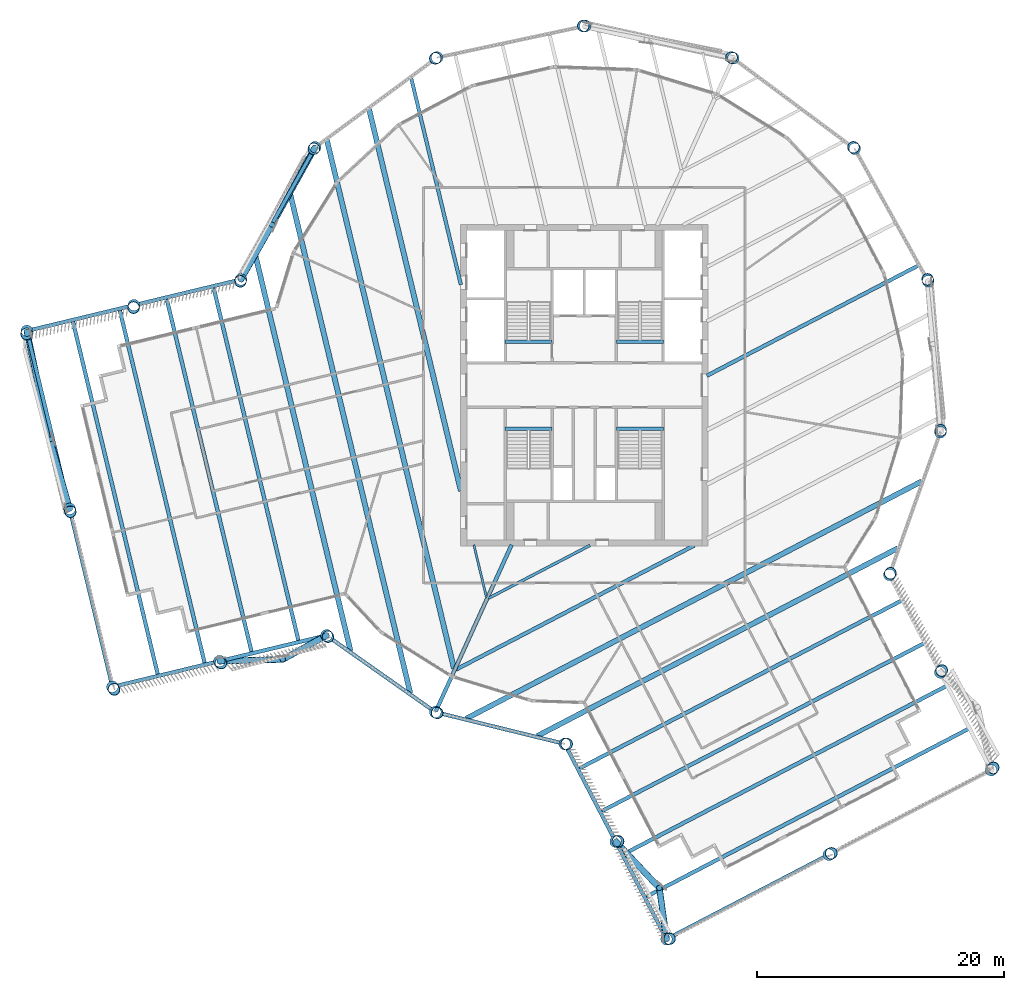
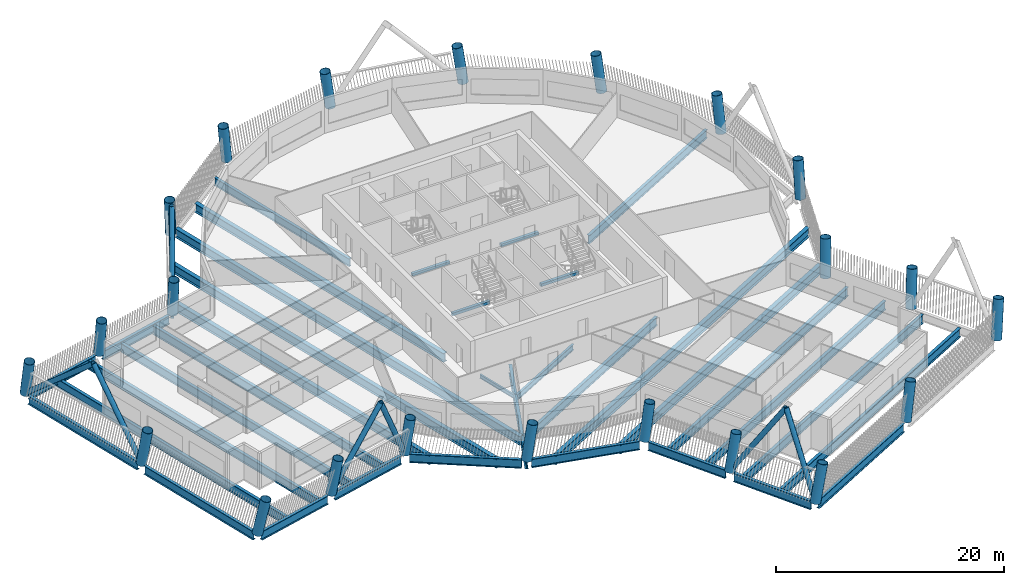
# One storey, part 1 of 22: 36 beams, 22 columns, 8 members.
"""IFC4 building model written with IfcOpenShell, lengths in metres."""

from ifc_helpers import new_model, si_unit, direction, frame, origin, origin_2d, place, context, subcontext, project, spatial, rectangle, hollow_circle, i_section, extrude, material, material_profile, profile_set, type_object, element, save


model = new_model("IFC4")

# Units and contexts
model_context = context("Model", 3, precision=1e-05, world=origin(), true_north=direction((0.0, 1.0)))
body_context = subcontext(model_context, "Body", "Model", "MODEL_VIEW")
ifc_project = project(units=[si_unit("LENGTHUNIT", "METRE"), si_unit("AREAUNIT", "SQUARE_METRE"), si_unit("VOLUMEUNIT", "CUBIC_METRE"), si_unit("PLANEANGLEUNIT", "RADIAN"), si_unit("MASSUNIT", "GRAM", prefix="KILO")], contexts=[model_context])

# Site, building, storey
site_placement = place(None, origin())
site = spatial("IfcSite", under=ifc_project, at=site_placement, CompositionType="ELEMENT")
building_placement = place(site_placement, origin())
building = spatial("IfcBuilding", under=site, at=building_placement, Name="Tarsis Ring Headquarters", CompositionType="ELEMENT")
storey_placement = place(building_placement, frame((0.0, 0.0, 339.199951171875)))
storey = spatial("IfcBuildingStorey", under=building, at=storey_placement, Name="L80", CompositionType="ELEMENT", Elevation=339.199951171875)

# Columns
ifc_material_1 = material(Name="Structural steel S355", Category="steel")
ifc_material_profile_1 = material_profile(ifc_material_1, hollow_circle(Radius=0.482666015625, WallThickness=0.0400390625, at=origin_2d()), Name="CHS 965x40")
ifc_profile_set_1 = profile_set([ifc_material_profile_1], Name="Structural steel S355")
column_type = type_object("IfcColumnType", Name="XC Exo column CHS 965x40", PredefinedType="COLUMN", material=ifc_profile_set_1)
for number, where, z_axis, x_axis, name in (
    (1, (-12.036865234375, -26.437255859375, 0.001220703125), (0.122406782257, -0.054437499006, 0.990985942564), (0.4063534086, 0.913715988324, 0.0), "Exo column XC7 F1"),
    (2, (-1.575927734375, -29.005859375, 0.001220703125), (0.133889108003, -0.006020975186, 0.990978029331), (0.044924463377, 0.998990386636, 0.0), "Exo column XC7 AK"),
):
    element("IfcColumn", number, at=place(storey_placement, frame(where, z_axis=z_axis, x_axis=x_axis)), inside=storey, type_object=column_type, Name=name, PredefinedType="COLUMN", context=body_context, shape_type="SweptSolid", body=[
        extrude(hollow_circle(Radius=0.482666015625, WallThickness=0.0400390625, at=origin_2d()), origin(), (0.0, 0.0, 1.0), 3.93310546875),
    ])
column_1_placement = place(storey_placement, frame((2.53759765625, -36.900634765625, 0.00146484375), z_axis=(0.169158254619, 0.013149893516, 0.985501174629), x_axis=(-0.077503399523, 0.996992087763, 0.0)))
element("IfcColumn", 3, at=column_1_placement, inside=storey, type_object=column_type, Name="Exo column XC7 AI1", PredefinedType="COLUMN", context=body_context, shape_type="SweptSolid", body=[
    extrude(hollow_circle(Radius=0.482666015625, WallThickness=0.0400390625, at=origin_2d()), origin(), (0.0, 0.0, 1.0), 3.95458984375),
])
column_2_placement = place(storey_placement, frame((6.651123046875, -44.795654296875, 0.001708984375), z_axis=(0.203718834417, 0.032185491444, 0.978500245602), x_axis=(-0.156054156709, 0.987748500466, 0.0)))
element("IfcColumn", 4, at=column_2_placement, inside=storey, type_object=column_type, Name="Exo column XC7 AT1", PredefinedType="COLUMN", context=body_context, shape_type="SweptSolid", body=[
    extrude(hollow_circle(Radius=0.482666015625, WallThickness=0.0400390625, at=origin_2d()), origin(), (0.0, 0.0, 1.0), 3.982421875),
])
column_3_placement = place(storey_placement, frame((19.7763671875, -37.95703125, 0.00146484375), z_axis=(0.172395271988, 0.091849939994, 0.980736182018), x_axis=(-0.470212723385, 0.882553111584, 0.0)))
element("IfcColumn", 5, at=column_3_placement, inside=storey, type_object=column_type, Name="Exo column XC7 AT2", PredefinedType="COLUMN", context=body_context, shape_type="SweptSolid", body=[
    extrude(hollow_circle(Radius=0.482666015625, WallThickness=0.0400390625, at=origin_2d()), origin(), (0.0, 0.0, 1.0), 3.973876953125),
])
column_4_placement = place(storey_placement, frame((32.901611328125, -31.118408203125, 0.001708984375), z_axis=(0.140389422881, 0.151117872228, 0.978495885856), x_axis=(-0.732634685641, 0.680622081184, 0.0)))
element("IfcColumn", 6, at=column_4_placement, inside=storey, type_object=column_type, Name="Exo column XC7 AT3", PredefinedType="COLUMN", context=body_context, shape_type="SweptSolid", body=[
    extrude(hollow_circle(Radius=0.482666015625, WallThickness=0.0400390625, at=origin_2d()), origin(), (0.0, 0.0, 1.0), 3.982421875),
])
column_5_placement = place(storey_placement, frame((28.788330078125, -23.2236328125, 0.00146484375), z_axis=(0.105322321843, 0.133041971613, 0.985498372556), x_axis=(-0.784053201958, 0.620693625309, 0.0)))
element("IfcColumn", 7, at=column_5_placement, inside=storey, type_object=column_type, Name="Exo column XC7 AO1", PredefinedType="COLUMN", context=body_context, shape_type="SweptSolid", body=[
    extrude(hollow_circle(Radius=0.482666015625, WallThickness=0.0400390625, at=origin_2d()), origin(), (0.0, 0.0, 1.0), 3.95458984375),
])
for number, where, z_axis, x_axis, name in (
    (8, (24.6748046875, -15.32861328125, 0.001220703125), (0.06964555751, 0.114399966569, 0.990990486316), (-0.85416275505, 0.520005757551, 0.0), "Exo column XC7 AJ"),
    (9, (28.799560546875, -3.795166015625, 0.001220703125), (0.016263004677, 0.132959374113, 0.990988052155), (-0.99260235287, 0.121410745309, 0.0), "Exo column XC7 R1"),
    (10, (27.803466796875, 8.4130859375, 0.001220703125), (-0.039974596113, 0.127869049678, 0.990985135005), (-0.95444699542, -0.298380517015, 0.0), "Exo column XC7 R2"),
    (11, (21.864013671875, 19.12548828125, 0.001220703125), (-0.089135505011, 0.100060190862, 0.990980736418), (-0.746693306718, -0.665168479186, 0.0), "Exo column XC7 R3"),
    (12, (12.036865234375, 26.437255859375, 0.001220703125), (-0.122406782257, 0.054437499006, 0.990985942564), (-0.4063534086, -0.913715988324, 0.0), "Exo column XC7 R4"),
    (13, (0.069580078125, 29.04833984375, 0.001220703125), (-0.133952443867, -0.000869014928, 0.990987380139), (0.006487351898, -0.999978956911, 0.0), "Exo column XC7 R5"),
    (14, (-11.91015625, 26.49462890625, 0.001220703125), (-0.12166212528, -0.056051479147, 0.990987668419), (0.418440981099, -0.908243989981, 0.0), "Exo column XC7 R6"),
    (15, (-21.77197265625, 19.22998046875, 0.001220703125), (-0.087831695926, -0.101239219827, 0.990977403153), (0.755352808016, -0.655318346624, 0.0), "Exo column XC7 R7"),
    (16, (-27.762939453125, 8.546142578125, 0.001220703125), (-0.038236431637, -0.128427235482, 0.990981543966), (0.958423427029, -0.285349845843, 0.0), "Exo column XC7 BJ"),
):
    element("IfcColumn", number, at=place(storey_placement, frame(where, z_axis=z_axis, x_axis=x_axis)), inside=storey, type_object=column_type, Name=name, PredefinedType="COLUMN", context=body_context, shape_type="SweptSolid", body=[
        extrude(hollow_circle(Radius=0.482666015625, WallThickness=0.0400390625, at=origin_2d()), origin(), (0.0, 0.0, 1.0), 3.93310546875),
    ])
column_6_placement = place(storey_placement, frame((-36.41845703125, 6.46484375, 0.00146484375), z_axis=(-0.028151934765, -0.167306454415, 0.985502926875), x_axis=(0.986137025442, -0.165933019779, 0.0)))
element("IfcColumn", 17, at=column_6_placement, inside=storey, type_object=column_type, Name="Exo column XC7 BO1", PredefinedType="COLUMN", context=body_context, shape_type="SweptSolid", body=[
    extrude(hollow_circle(Radius=0.482666015625, WallThickness=0.0400390625, at=origin_2d()), origin(), (0.0, 0.0, 1.0), 3.95458984375),
])
column_7_placement = place(storey_placement, frame((-45.073974609375, 4.383544921875, 0.001708984375), z_axis=(-0.018085239634, -0.205436061064, 0.978503423051), x_axis=(0.996147436513, -0.087694268508, 0.0)))
element("IfcColumn", 18, at=column_7_placement, inside=storey, type_object=column_type, Name="Exo column XC7 BT3", PredefinedType="COLUMN", context=body_context, shape_type="SweptSolid", body=[
    extrude(hollow_circle(Radius=0.482666015625, WallThickness=0.0400390625, at=origin_2d()), origin(), (0.0, 0.0, 1.0), 3.982421875),
])
column_8_placement = place(storey_placement, frame((-41.61376953125, -10.00634765625, 0.00146484375), z_axis=(0.047369047904, -0.189476191617, 0.980742038515), x_axis=(0.970142500145, 0.242535625036, 0.0)))
element("IfcColumn", 19, at=column_8_placement, inside=storey, type_object=column_type, Name="Exo column XC7 BT2", PredefinedType="COLUMN", context=body_context, shape_type="SweptSolid", body=[
    extrude(hollow_circle(Radius=0.482666015625, WallThickness=0.0400390625, at=origin_2d()), origin(), (0.0, 0.0, 1.0), 3.9736328125),
])
column_9_placement = place(storey_placement, frame((-38.15380859375, -24.396240234375, 0.001708984375), z_axis=(0.1126807667, -0.172699521107, 0.978508007236), x_axis=(0.837498203896, 0.546440077658, 0.0)))
element("IfcColumn", 20, at=column_9_placement, inside=storey, type_object=column_type, Name="Exo column XC7 BT1", PredefinedType="COLUMN", context=body_context, shape_type="SweptSolid", body=[
    extrude(hollow_circle(Radius=0.482666015625, WallThickness=0.0400390625, at=origin_2d()), origin(), (0.0, 0.0, 1.0), 3.982421875),
])
column_10_placement = place(storey_placement, frame((-29.498291015625, -22.31494140625, 0.00146484375), z_axis=(0.103594452651, -0.134339409398, 0.985505511127), x_axis=(0.791892871689, 0.610660036164, 0.0)))
element("IfcColumn", 21, at=column_10_placement, inside=storey, type_object=column_type, Name="Exo column XC7 BI1", PredefinedType="COLUMN", context=body_context, shape_type="SweptSolid", body=[
    extrude(hollow_circle(Radius=0.482666015625, WallThickness=0.0400390625, at=origin_2d()), origin(), (0.0, 0.0, 1.0), 3.95458984375),
])
column_11_placement = place(storey_placement, frame((-20.8427734375, -20.233642578125, 0.001220703125), z_axis=(0.094225431983, -0.095280657505, 0.990980910146), x_axis=(0.711033136244, 0.703158502162, 0.0)))
element("IfcColumn", 22, at=column_11_placement, inside=storey, type_object=column_type, Name="Exo column XC7 BK", PredefinedType="COLUMN", context=body_context, shape_type="SweptSolid", body=[
    extrude(hollow_circle(Radius=0.482666015625, WallThickness=0.0400390625, at=origin_2d()), origin(), (0.0, 0.0, 1.0), 3.93310546875),
])

# Beams
ifc_material_profile_2 = material_profile(ifc_material_1, i_section(OverallWidth=0.177734375, OverallDepth=0.406494140625, WebThickness=0.0078125, FlangeThickness=0.0126953125, at=origin_2d()), Name="W16x40")
ifc_profile_set_2 = profile_set([ifc_material_profile_2], Name="Structural steel S355")
beam_type_1 = type_object("IfcBeamType", Name="FB Floor beam W16x40", PredefinedType="JOIST", material=ifc_profile_set_2)
beam_1_placement = place(storey_placement, frame((-8.930908203125, -12.90283203125, -0.363037109375), z_axis=(0.233776850383, -0.972290277759, 0.0), x_axis=(0.972290277759, 0.233776850383, 0.0)))
element("IfcBeam", 23, at=beam_1_placement, inside=storey, type_object=beam_type_1, Name="Floor beam FB1", PredefinedType="JOIST", context=body_context, shape_type="SweptSolid", body=[
    extrude(i_section(OverallWidth=0.177734375, OverallDepth=0.406494140625, WebThickness=0.0078125, FlangeThickness=0.0126953125, at=origin_2d()), origin(), (0.0, 0.0, 1.0), 4.366455078125),
])
ifc_material_profile_3 = material_profile(ifc_material_1, i_section(OverallWidth=0.228271484375, OverallDepth=0.607177734375, WebThickness=0.01123046875, FlangeThickness=0.017333984375, at=origin_2d()), Name="W24x76")
ifc_profile_set_3 = profile_set([ifc_material_profile_3], Name="Structural steel S355")
beam_type_2 = type_object("IfcBeamType", Name="FB Floor beam W24x76", PredefinedType="JOIST", material=ifc_profile_set_3)
beam_2_placement = place(storey_placement, frame((-7.740234375, -17.2255859375, -0.463623046875), z_axis=(0.886850738756, 0.462056021678, 0.0), x_axis=(-0.462056021678, 0.886850738756, 0.0)))
element("IfcBeam", 24, at=beam_2_placement, inside=storey, type_object=beam_type_2, Name="Floor beam FB4", PredefinedType="JOIST", context=body_context, shape_type="SweptSolid", body=[
    extrude(i_section(OverallWidth=0.228271484375, OverallDepth=0.607177734375, WebThickness=0.01123046875, FlangeThickness=0.017333984375, at=origin_2d()), origin(), (0.0, 0.0, 1.0), 9.2451171875),
])
ifc_material_profile_4 = material_profile(ifc_material_1, i_section(OverallWidth=0.2919921875, OverallDepth=0.835693359375, WebThickness=0.013916015625, FlangeThickness=0.018798828125, at=origin_2d()), Name="W33x118")
ifc_profile_set_4 = profile_set([ifc_material_profile_4], Name="Structural steel S355")
beam_type_3 = type_object("IfcBeamType", Name="FB Floor beam W33x118", PredefinedType="JOIST", material=ifc_profile_set_4)
beam_3_placement = place(storey_placement, frame((-14.00341796875, 24.874755859375, -0.577880859375), z_axis=(0.233787861843, -0.972287630105, 0.0), x_axis=(0.972287630105, 0.233787861843, 0.0)))
element("IfcBeam", 25, at=beam_3_placement, inside=storey, type_object=beam_type_3, Name="Floor beam FB7", PredefinedType="JOIST", context=body_context, shape_type="SweptSolid", body=[
    extrude(i_section(OverallWidth=0.2919921875, OverallDepth=0.835693359375, WebThickness=0.013916015625, FlangeThickness=0.018798828125, at=origin_2d()), origin(), (0.0, 0.0, 1.0), 17.224365234375),
])
ifc_material_profile_5 = material_profile(ifc_material_1, i_section(OverallWidth=0.3046875, OverallDepth=0.904296875, WebThickness=0.01513671875, FlangeThickness=0.02001953125, at=origin_2d()), Name="W36x135")
ifc_profile_set_5 = profile_set([ifc_material_profile_5], Name="Structural steel S355")
beam_type_4 = type_object("IfcBeamType", Name="FB Floor beam W36x135", PredefinedType="JOIST", material=ifc_profile_set_5)
beam_4_placement = place(storey_placement, frame((9.911376953125, 0.766357421875, -0.612060546875), z_axis=(0.886847374375, 0.462062479069, 0.0), x_axis=(-0.462062479069, 0.886847374375, 0.0)))
element("IfcBeam", 26, at=beam_4_placement, inside=storey, type_object=beam_type_4, Name="Floor beam FB8", PredefinedType="JOIST", context=body_context, shape_type="SweptSolid", body=[
    extrude(i_section(OverallWidth=0.3046875, OverallDepth=0.904296875, WebThickness=0.01513671875, FlangeThickness=0.02001953125, at=origin_2d()), origin(), (0.0, 0.0, 1.0), 19.30712890625),
])
ifc_material_profile_6 = material_profile(ifc_material_1, i_section(OverallWidth=0.3046875, OverallDepth=0.91943359375, WebThickness=0.017333984375, FlangeThickness=0.02783203125, at=origin_2d()), Name="W36x170")
ifc_profile_set_6 = profile_set([ifc_material_profile_6], Name="Structural steel S355")
beam_type_5 = type_object("IfcBeamType", Name="FB Floor beam W36x170", PredefinedType="JOIST", material=ifc_profile_set_6)
beam_5_placement = place(storey_placement, frame((-10.365234375, -22.99072265625, -0.61962890625), z_axis=(0.886851433501, 0.462054688211, 0.0), x_axis=(-0.462054688211, 0.886851433501, 0.0)))
element("IfcBeam", 27, at=beam_5_placement, inside=storey, type_object=beam_type_5, Name="Floor beam FB9", PredefinedType="JOIST", context=body_context, shape_type="SweptSolid", body=[
    extrude(i_section(OverallWidth=0.3046875, OverallDepth=0.91943359375, WebThickness=0.017333984375, FlangeThickness=0.02783203125, at=origin_2d()), origin(), (0.0, 0.0, 1.0), 21.72216796875),
])
ifc_material_profile_7 = material_profile(ifc_material_1, i_section(OverallWidth=0.309814453125, OverallDepth=0.949951171875, WebThickness=0.0244140625, FlangeThickness=0.0439453125, at=origin_2d()), Name="W36x256")
ifc_profile_set_7 = profile_set([ifc_material_profile_7], Name="Structural steel S355")
beam_type_6 = type_object("IfcBeamType", Name="FB Floor beam W36x256", PredefinedType="JOIST", material=ifc_profile_set_7)
beam_6_placement = place(storey_placement, frame((-0.46240234375, -31.024169921875, -0.635009765625), z_axis=(0.886848783995, 0.462059773544, 0.0), x_axis=(-0.462059773544, 0.886848783995, 0.0)))
element("IfcBeam", 28, at=beam_6_placement, inside=storey, type_object=beam_type_6, Name="Floor beam FB11", PredefinedType="JOIST", context=body_context, shape_type="SweptSolid", body=[
    extrude(i_section(OverallWidth=0.309814453125, OverallDepth=0.949951171875, WebThickness=0.0244140625, FlangeThickness=0.0439453125, at=origin_2d()), origin(), (0.0, 0.0, 1.0), 29.490234375),
])
for number, where, z_axis, x_axis, name in (
    (29, (1.339599609375, -34.482666015625, -0.635009765625), (0.886852176411, 0.462053262293, 0.0), (-0.462053262293, 0.886852176411, 0.0), "Floor beam FB11"),
    (30, (3.1416015625, -37.94140625, -0.635009765625), (0.886852176411, 0.462053262293, 0.0), (-0.462053262293, 0.886852176411, 0.0), "Floor beam FB11"),
    (31, (4.943603515625, -41.400146484375, -0.635009765625), (0.886852176411, 0.462053262293, 0.0), (-0.462053262293, 0.886852176411, 0.0), "Floor beam FB11"),
):
    element("IfcBeam", number, at=place(storey_placement, frame(where, z_axis=z_axis, x_axis=x_axis)), inside=storey, type_object=beam_type_6, Name=name, PredefinedType="JOIST", context=body_context, shape_type="SweptSolid", body=[
        extrude(i_section(OverallWidth=0.309814453125, OverallDepth=0.949951171875, WebThickness=0.0244140625, FlangeThickness=0.0439453125, at=origin_2d()), origin(), (0.0, 0.0, 1.0), 29.489990234375),
    ])
beam_7_placement = place(storey_placement, frame((-29.99072265625, 7.9541015625, -0.635009765625), z_axis=(0.233791250823, -0.972286815214, 0.0), x_axis=(0.972286815214, 0.233791250823, 0.0)))
element("IfcBeam", 32, at=beam_7_placement, inside=storey, type_object=beam_type_6, Name="Floor beam FB11", PredefinedType="JOIST", context=body_context, shape_type="SweptSolid", body=[
    extrude(i_section(OverallWidth=0.309814453125, OverallDepth=0.949951171875, WebThickness=0.0244140625, FlangeThickness=0.0439453125, at=origin_2d()), origin(), (0.0, 0.0, 1.0), 29.490234375),
])
for number, where, z_axis, x_axis, name in (
    (33, (-33.782470703125, 7.042236328125, -0.635009765625), (0.233783424575, -0.972288697041, 0.0), (0.972288697041, 0.233783424575, 0.0), "Floor beam FB11"),
    (34, (-37.574462890625, 6.130615234375, -0.635009765625), (0.233783424575, -0.972288697041, 0.0), (0.972288697041, 0.233783424575, 0.0), "Floor beam FB11"),
    (35, (-41.366455078125, 5.21875, -0.635009765625), (0.233783424575, -0.972288697041, 0.0), (0.972288697041, 0.233783424575, 0.0), "Floor beam FB11"),
):
    element("IfcBeam", number, at=place(storey_placement, frame(where, z_axis=z_axis, x_axis=x_axis)), inside=storey, type_object=beam_type_6, Name=name, PredefinedType="JOIST", context=body_context, shape_type="SweptSolid", body=[
        extrude(i_section(OverallWidth=0.309814453125, OverallDepth=0.949951171875, WebThickness=0.0244140625, FlangeThickness=0.0439453125, at=origin_2d()), origin(), (0.0, 0.0, 1.0), 29.489990234375),
    ])
beam_type_7 = type_object("IfcBeamType", Name="FB Floor beam W36x256 spine", PredefinedType="BEAM", material=ifc_profile_set_7)
beam_8_placement = place(storey_placement, frame((-5.87744140625, -12.908935546875, -0.635009765625), z_axis=(-0.414382998645, -0.910102593356, 0.0), x_axis=(0.910102593356, -0.414382998645, 0.0)))
element("IfcBeam", 36, at=beam_8_placement, inside=storey, type_object=beam_type_7, Name="Floor beam SB11", PredefinedType="BEAM", context=body_context, shape_type="SweptSolid", body=[
    extrude(i_section(OverallWidth=0.309814453125, OverallDepth=0.949951171875, WebThickness=0.0244140625, FlangeThickness=0.0439453125, at=origin_2d()), origin(), (0.0, 0.0, 1.0), 14.806884765625),
])
ifc_material_profile_8 = material_profile(ifc_material_1, i_section(OverallWidth=0.42431640625, OverallDepth=0.947509765625, WebThickness=0.02392578125, FlangeThickness=0.042724609375, at=origin_2d()), Name="W36x302")
ifc_profile_set_8 = profile_set([ifc_material_profile_8], Name="Structural steel S355")
beam_type_8 = type_object("IfcBeamType", Name="FB Floor beam W36x302", PredefinedType="JOIST", material=ifc_profile_set_8)
beam_9_placement = place(storey_placement, frame((-9.54052734375, -26.958740234375, -0.633544921875), z_axis=(0.886848886755, 0.462059576313, 0.0), x_axis=(-0.462059576313, 0.886848886755, 0.0)))
element("IfcBeam", 37, at=beam_9_placement, inside=storey, type_object=beam_type_8, Name="Floor beam FB12", PredefinedType="JOIST", context=body_context, shape_type="SweptSolid", body=[
    extrude(i_section(OverallWidth=0.42431640625, OverallDepth=0.947509765625, WebThickness=0.02392578125, FlangeThickness=0.042724609375, at=origin_2d()), origin(), (0.0, 0.0, 1.0), 41.52392578125),
])
beam_10_placement = place(storey_placement, frame((-3.803466796875, -28.3671875, -0.633544921875), z_axis=(0.886851514411, 0.462054532914, 0.0), x_axis=(-0.462054532914, 0.886851514411, 0.0)))
element("IfcBeam", 38, at=beam_10_placement, inside=storey, type_object=beam_type_8, Name="Floor beam FB12", PredefinedType="JOIST", context=body_context, shape_type="SweptSolid", body=[
    extrude(i_section(OverallWidth=0.42431640625, OverallDepth=0.947509765625, WebThickness=0.02392578125, FlangeThickness=0.042724609375, at=origin_2d()), origin(), (0.0, 0.0, 1.0), 32.875244140625),
])
beam_11_placement = place(storey_placement, frame((-17.410888671875, 22.364501953125, -0.633544921875), z_axis=(0.233784386582, -0.972288465729, 0.0), x_axis=(0.972288465729, 0.233784386582, 0.0)))
element("IfcBeam", 39, at=beam_11_placement, inside=storey, type_object=beam_type_8, Name="Floor beam FB12", PredefinedType="JOIST", context=body_context, shape_type="SweptSolid", body=[
    extrude(i_section(OverallWidth=0.42431640625, OverallDepth=0.947509765625, WebThickness=0.02392578125, FlangeThickness=0.042724609375, at=origin_2d()), origin(), (0.0, 0.0, 1.0), 31.7998046875),
])
beam_12_placement = place(storey_placement, frame((-20.818603515625, 19.8544921875, -0.633544921875), z_axis=(0.233785007055, -0.972288316538, 0.0), x_axis=(0.972288316538, 0.233785007055, 0.0)))
element("IfcBeam", 40, at=beam_12_placement, inside=storey, type_object=beam_type_8, Name="Floor beam FB12", PredefinedType="JOIST", context=body_context, shape_type="SweptSolid", body=[
    extrude(i_section(OverallWidth=0.42431640625, OverallDepth=0.947509765625, WebThickness=0.02392578125, FlangeThickness=0.042724609375, at=origin_2d()), origin(), (0.0, 0.0, 1.0), 43.98681640625),
])
beam_13_placement = place(storey_placement, frame((-23.777099609375, 15.4765625, -0.633544921875), z_axis=(0.233788101361, -0.972287572512, 0.0), x_axis=(0.972287572512, 0.233788101361, 0.0)))
element("IfcBeam", 41, at=beam_13_placement, inside=storey, type_object=beam_type_8, Name="Floor beam FB12", PredefinedType="JOIST", context=body_context, shape_type="SweptSolid", body=[
    extrude(i_section(OverallWidth=0.42431640625, OverallDepth=0.947509765625, WebThickness=0.02392578125, FlangeThickness=0.042724609375, at=origin_2d()), origin(), (0.0, 0.0, 1.0), 41.523681640625),
])
beam_14_placement = place(storey_placement, frame((-26.58447265625, 10.469970703125, -0.633544921875), z_axis=(0.233785531687, -0.972288190391, 0.0), x_axis=(0.972288190391, 0.233785531687, 0.0)))
element("IfcBeam", 42, at=beam_14_placement, inside=storey, type_object=beam_type_8, Name="Floor beam FB12", PredefinedType="JOIST", context=body_context, shape_type="SweptSolid", body=[
    extrude(i_section(OverallWidth=0.42431640625, OverallDepth=0.947509765625, WebThickness=0.02392578125, FlangeThickness=0.042724609375, at=origin_2d()), origin(), (0.0, 0.0, 1.0), 32.87548828125),
])
ifc_material_2 = material(Name="Concrete C40/50", Category="concrete")
ifc_material_profile_9 = material_profile(ifc_material_2, rectangle(XDim=0.300048828125, YDim=0.300048828125, at=origin_2d()), Name="Stair head beam 300x300 C40/50")
ifc_profile_set_9 = profile_set([ifc_material_profile_9], Name="Concrete C40/50")
beam_type_9 = type_object("IfcBeamType", Name="Stair head beam 300x300 C40/50", PredefinedType="BEAM", material=ifc_profile_set_9)
for number, where, z_axis, x_axis, name in (
    (43, (-6.39990234375, 3.510009765625, -0.31005859375), (1.0, 0.0, 0.0), (0.0, 1.0, 0.0), "Stair head beam L80 Firefighting stair"),
    (44, (2.60009765625, 3.510009765625, -0.31005859375), (1.0, 0.0, 0.0), (0.0, 1.0, 0.0), "Stair head beam L80 Exit stair B"),
    (45, (-6.39990234375, -3.510009765625, -0.31005859375), (1.0, 0.0, 0.0), (0.0, 1.0, 0.0), "Stair head beam L80 Exit stair C"),
    (46, (2.60009765625, -3.510009765625, -0.31005859375), (1.0, 0.0, 0.0), (0.0, 1.0, 0.0), "Stair head beam L80 Exit stair D"),
):
    element("IfcBeam", number, at=place(storey_placement, frame(where, z_axis=z_axis, x_axis=x_axis)), inside=storey, type_object=beam_type_9, Name=name, PredefinedType="BEAM", context=body_context, shape_type="SweptSolid", body=[
        extrude(rectangle(XDim=0.300048828125, YDim=0.300048828125, at=origin_2d()), origin(), (0.0, 0.0, 1.0), 3.7998046875),
    ])

# Members
ifc_material_profile_10 = material_profile(ifc_material_1, hollow_circle(Radius=0.25390625, WallThickness=0.02001953125, at=origin_2d()), Name="CHS 508x20")
ifc_profile_set_10 = profile_set([ifc_material_profile_10], Name="Structural steel S355")
member_type = type_object("IfcMemberType", Name="XD X brace CHS 508x20", PredefinedType="BRACE", material=ifc_profile_set_10)
member_1_placement = place(storey_placement, frame((2.537353515625, -36.900634765625, 0.0), z_axis=(0.37816507538, -0.401454446219, 0.834161557118), x_axis=(0.727905285986, 0.685677690051, 0.0)))
element("IfcMember", 47, at=member_1_placement, inside=storey, type_object=member_type, Name="X brace XD2", PredefinedType="BRACE", context=body_context, shape_type="SweptSolid", body=[
    extrude(hollow_circle(Radius=0.25390625, WallThickness=0.02001953125, at=origin_2d()), origin(), (0.0, 0.0, 1.0), 9.350830078125),
])
member_2_placement = place(storey_placement, frame((6.650634765625, -44.795654296875, 0.0), z_axis=(-0.065214437255, 0.467921863246, 0.881360429716), x_axis=(-0.99042718564, -0.138036190712, 0.0)))
element("IfcMember", 48, at=member_2_placement, inside=storey, type_object=member_type, Name="X brace XD2", PredefinedType="BRACE", context=body_context, shape_type="SweptSolid", body=[
    extrude(hollow_circle(Radius=0.25390625, WallThickness=0.02001953125, at=origin_2d()), origin(), (0.0, 0.0, 1.0), 8.85009765625),
])
member_3_placement = place(storey_placement, frame((-21.77197265625, 19.22998046875, 0.0), z_axis=(-0.329079293621, -0.590460561954, 0.736928180549), x_axis=(0.873499781331, -0.486824539249, 0.0)))
element("IfcMember", 49, at=member_3_placement, inside=storey, type_object=member_type, Name="X brace XD2", PredefinedType="BRACE", context=body_context, shape_type="SweptSolid", body=[
    extrude(hollow_circle(Radius=0.25390625, WallThickness=0.02001953125, at=origin_2d()), origin(), (0.0, 0.0, 1.0), 10.58447265625),
])
member_4_placement = place(storey_placement, frame((-27.762939453125, 8.54638671875, 0.0), z_axis=(0.269192658635, 0.475935345937, 0.837269884222), x_axis=(-0.870417300561, 0.492314658409, 0.0)))
element("IfcMember", 50, at=member_4_placement, inside=storey, type_object=member_type, Name="X brace XD2", PredefinedType="BRACE", context=body_context, shape_type="SweptSolid", body=[
    extrude(hollow_circle(Radius=0.25390625, WallThickness=0.02001953125, at=origin_2d()), origin(), (0.0, 0.0, 1.0), 9.316162109375),
])
member_5_placement = place(storey_placement, frame((-45.073974609375, 4.3837890625, 0.0), z_axis=(0.15660863172, -0.737854550656, 0.656539715895), x_axis=(0.978208813357, 0.20762349932, 0.0)))
element("IfcMember", 51, at=member_5_placement, inside=storey, type_object=member_type, Name="X brace XD2", PredefinedType="BRACE", context=body_context, shape_type="SweptSolid", body=[
    extrude(hollow_circle(Radius=0.25390625, WallThickness=0.02001953125, at=origin_2d()), origin(), (0.0, 0.0, 1.0), 11.880615234375),
])
member_6_placement = place(storey_placement, frame((-41.614013671875, -10.006103515625, 0.0), z_axis=(-0.164069284953, 0.576909781542, 0.800160217516), x_axis=(-0.961858857055, -0.27354622846, 0.0)))
element("IfcMember", 52, at=member_6_placement, inside=storey, type_object=member_type, Name="X brace XD2", PredefinedType="BRACE", context=body_context, shape_type="SweptSolid", body=[
    extrude(hollow_circle(Radius=0.25390625, WallThickness=0.02001953125, at=origin_2d()), origin(), (0.0, 0.0, 1.0), 9.748046875),
])
member_7_placement = place(storey_placement, frame((-29.498291015625, -22.314697265625, 0.0), z_axis=(0.548419324936, 0.015125560424, 0.836066660894), x_axis=(-0.027569799643, 0.999619880829, 0.0)))
element("IfcMember", 53, at=member_7_placement, inside=storey, type_object=member_type, Name="X brace XD2", PredefinedType="BRACE", context=body_context, shape_type="SweptSolid", body=[
    extrude(hollow_circle(Radius=0.25390625, WallThickness=0.02001953125, at=origin_2d()), origin(), (0.0, 0.0, 1.0), 9.329345703125),
])
member_8_placement = place(storey_placement, frame((-20.8427734375, -20.2333984375, 0.0), z_axis=(-0.402973455887, -0.220918188047, 0.88814838177), x_axis=(0.480720094429, -0.876874102031, 0.0)))
element("IfcMember", 54, at=member_8_placement, inside=storey, type_object=member_type, Name="X brace XD2", PredefinedType="BRACE", context=body_context, shape_type="SweptSolid", body=[
    extrude(hollow_circle(Radius=0.25390625, WallThickness=0.02001953125, at=origin_2d()), origin(), (0.0, 0.0, 1.0), 8.782470703125),
])

# Beams
ifc_material_profile_11 = material_profile(ifc_material_1, i_section(OverallWidth=0.309814453125, OverallDepth=0.93212890625, WebThickness=0.02099609375, FlangeThickness=0.034423828125, at=origin_2d()), Name="W36x210")
ifc_profile_set_11 = profile_set([ifc_material_profile_11], Name="Structural steel S355")
beam_type_10 = type_object("IfcBeamType", Name="XG Ring girder W36x210", PredefinedType="BEAM", material=ifc_profile_set_11)
beam_15_placement = place(storey_placement, frame((-11.615234375, -26.540771484375, -0.466064453125), z_axis=(0.97115625582, -0.2384439699, 0.0), x_axis=(0.2384439699, 0.97115625582, 0.0)))
element("IfcBeam", 55, at=beam_15_placement, inside=storey, type_object=beam_type_10, Name="Ring girder XG3", PredefinedType="BEAM", context=body_context, shape_type="SweptSolid", body=[
    extrude(i_section(OverallWidth=0.309814453125, OverallDepth=0.93212890625, WebThickness=0.02099609375, FlangeThickness=0.034423828125, at=origin_2d()), origin(), (0.0, 0.0, 1.0), 9.903076171875),
])
for number, where, z_axis, x_axis, name in (
    (56, (-1.375244140625, -29.390869140625, -0.466064453125), (0.462054938419, -0.886851303141, 0.0), (0.886851303141, 0.462054938419, 0.0), "Ring girder XG3"),
    (57, (2.738037109375, -37.285888671875, -0.466064453125), (0.462054938419, -0.886851303141, 0.0), (0.886851303141, 0.462054938419, 0.0), "Ring girder XG3"),
):
    element("IfcBeam", number, at=place(storey_placement, frame(where, z_axis=z_axis, x_axis=x_axis)), inside=storey, type_object=beam_type_10, Name=name, PredefinedType="BEAM", context=body_context, shape_type="SweptSolid", body=[
        extrude(i_section(OverallWidth=0.309814453125, OverallDepth=0.93212890625, WebThickness=0.02099609375, FlangeThickness=0.034423828125, at=origin_2d()), origin(), (0.0, 0.0, 1.0), 8.033447265625),
    ])
beam_16_placement = place(storey_placement, frame((7.035888671875, -44.594970703125, -0.466064453125), z_axis=(0.886851552175, 0.462054460432, 0.0), x_axis=(-0.462054460432, 0.886851552175, 0.0)))
element("IfcBeam", 58, at=beam_16_placement, inside=storey, type_object=beam_type_10, Name="Ring girder XG3", PredefinedType="BEAM", context=body_context, shape_type="SweptSolid", body=[
    extrude(i_section(OverallWidth=0.309814453125, OverallDepth=0.93212890625, WebThickness=0.02099609375, FlangeThickness=0.034423828125, at=origin_2d()), origin(), (0.0, 0.0, 1.0), 13.931396484375),
])
beam_17_placement = place(storey_placement, frame((-21.984375, 18.851318359375, -0.466064453125), z_axis=(-0.489101719902, -0.872226752392, 0.0), x_axis=(0.872226752392, -0.489101719902, 0.0)))
element("IfcBeam", 59, at=beam_17_placement, inside=storey, type_object=beam_type_10, Name="Ring girder XG3", PredefinedType="BEAM", context=body_context, shape_type="SweptSolid", body=[
    extrude(i_section(OverallWidth=0.309814453125, OverallDepth=0.93212890625, WebThickness=0.02099609375, FlangeThickness=0.034423828125, at=origin_2d()), origin(), (0.0, 0.0, 1.0), 11.38037109375),
])
beam_18_placement = place(storey_placement, frame((-28.18505859375, 8.44482421875, -0.466064453125), z_axis=(-0.972287630911, -0.233787858492, 0.0), x_axis=(0.233787858492, -0.972287630911, 0.0)))
element("IfcBeam", 60, at=beam_18_placement, inside=storey, type_object=beam_type_10, Name="Ring girder XG3", PredefinedType="BEAM", context=body_context, shape_type="SweptSolid", body=[
    extrude(i_section(OverallWidth=0.309814453125, OverallDepth=0.93212890625, WebThickness=0.02099609375, FlangeThickness=0.034423828125, at=origin_2d()), origin(), (0.0, 0.0, 1.0), 8.03369140625),
])
beam_19_placement = place(storey_placement, frame((-36.8408203125, 6.363525390625, -0.466064453125), z_axis=(-0.972285969835, -0.233794766541, 0.0), x_axis=(0.233794766541, -0.972285969835, 0.0)))
element("IfcBeam", 61, at=beam_19_placement, inside=storey, type_object=beam_type_10, Name="Ring girder XG3", PredefinedType="BEAM", context=body_context, shape_type="SweptSolid", body=[
    extrude(i_section(OverallWidth=0.309814453125, OverallDepth=0.93212890625, WebThickness=0.02099609375, FlangeThickness=0.034423828125, at=origin_2d()), origin(), (0.0, 0.0, 1.0), 8.033447265625),
])
for number, where, z_axis, x_axis, name in (
    (62, (-44.972412109375, 3.961669921875, -0.466064453125), (0.233775914821, -0.972290502705, 0.0), (0.972290502705, 0.233775914821, 0.0), "Ring girder XG3"),
    (63, (-41.512451171875, -10.42822265625, -0.466064453125), (0.233792481419, -0.97228651931, 0.0), (0.97228651931, 0.233792481419, 0.0), "Ring girder XG3"),
):
    element("IfcBeam", number, at=place(storey_placement, frame(where, z_axis=z_axis, x_axis=x_axis)), inside=storey, type_object=beam_type_10, Name=name, PredefinedType="BEAM", context=body_context, shape_type="SweptSolid", body=[
        extrude(i_section(OverallWidth=0.309814453125, OverallDepth=0.93212890625, WebThickness=0.02099609375, FlangeThickness=0.034423828125, at=origin_2d()), origin(), (0.0, 0.0, 1.0), 13.931396484375),
    ])
for number, where, z_axis, x_axis, name in (
    (64, (-37.731689453125, -24.29443359375, -0.466064453125), (0.972287630911, 0.233787858492, 0.0), (-0.233787858492, 0.972287630911, 0.0), "Ring girder XG3"),
    (65, (-29.076171875, -22.213134765625, -0.466064453125), (0.972287630911, 0.233787858492, 0.0), (-0.233787858492, 0.972287630911, 0.0), "Ring girder XG3"),
):
    element("IfcBeam", number, at=place(storey_placement, frame(where, z_axis=z_axis, x_axis=x_axis)), inside=storey, type_object=beam_type_10, Name=name, PredefinedType="BEAM", context=body_context, shape_type="SweptSolid", body=[
        extrude(i_section(OverallWidth=0.309814453125, OverallDepth=0.93212890625, WebThickness=0.02099609375, FlangeThickness=0.034423828125, at=origin_2d()), origin(), (0.0, 0.0, 1.0), 8.03369140625),
    ])
beam_20_placement = place(storey_placement, frame((-20.48779296875, -20.483642578125, -0.466064453125), z_axis=(0.817502482034, -0.575925074873, 0.0), x_axis=(0.575925074873, 0.817502482034, 0.0)))
element("IfcBeam", 66, at=beam_20_placement, inside=storey, type_object=beam_type_10, Name="Ring girder XG3", PredefinedType="BEAM", context=body_context, shape_type="SweptSolid", body=[
    extrude(i_section(OverallWidth=0.309814453125, OverallDepth=0.93212890625, WebThickness=0.02099609375, FlangeThickness=0.034423828125, at=origin_2d()), origin(), (0.0, 0.0, 1.0), 9.903076171875),
])

save(model, "model.ifc")
